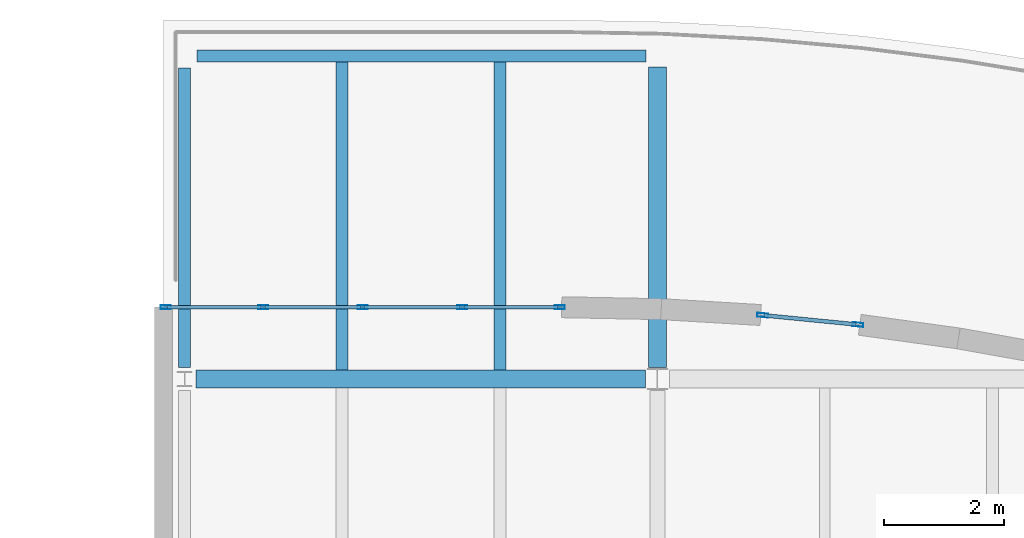
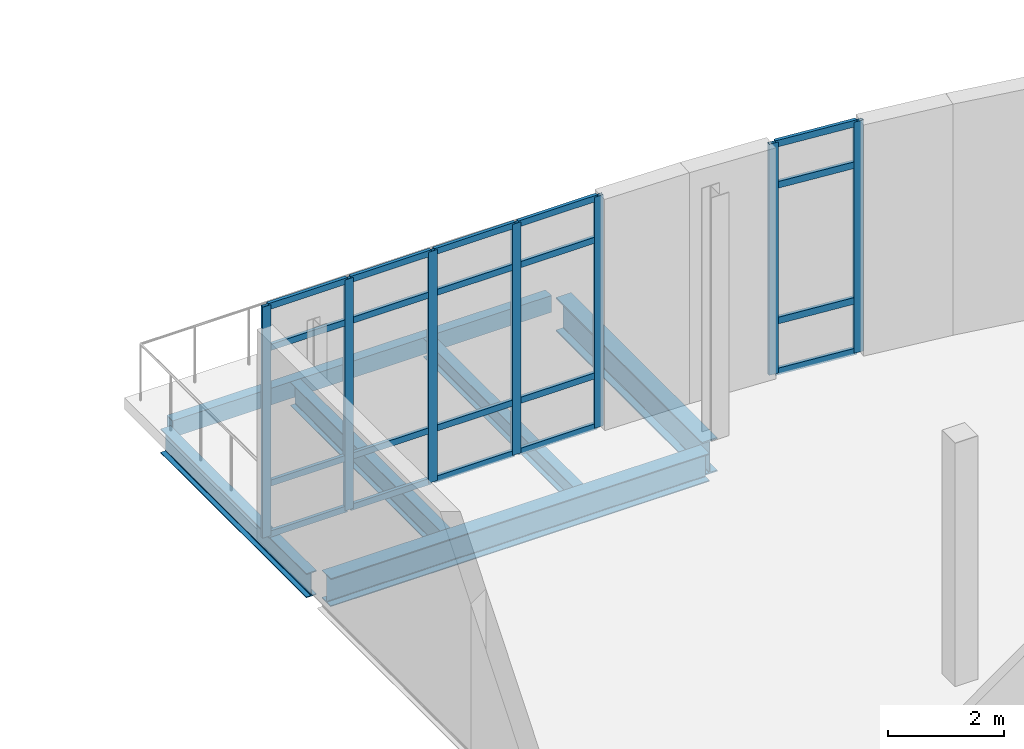
# One storey, part 37 of 91: 27 members, 6 beams, 2 elements without a shape of their own.
"""IFC4 building model written with IfcOpenShell, lengths in metres."""

from ifc_helpers import new_model, si_unit, direction, frame, origin, origin_2d, place, context, subcontext, project, spatial, hollow_rectangle, i_section, extrude, material, layer, layer_set, material_profile, profile_set, type_object, element, aggregate, save


model = new_model("IFC4")

# Units and contexts
model_context = context("Model", 3, precision=1e-05, world=origin(), true_north=direction((0.0, 1.0)))
body_context = subcontext(model_context, "Body", "Model", "MODEL_VIEW")
ifc_project = project(units=[si_unit("LENGTHUNIT", "METRE"), si_unit("AREAUNIT", "SQUARE_METRE"), si_unit("VOLUMEUNIT", "CUBIC_METRE"), si_unit("PLANEANGLEUNIT", "RADIAN"), si_unit("MASSUNIT", "GRAM", prefix="KILO"), si_unit("THERMODYNAMICTEMPERATUREUNIT", "KELVIN")], contexts=[model_context])

# Site, building, storey
site_placement = place(None, origin())
site = spatial("IfcSite", under=ifc_project, at=site_placement, CompositionType="ELEMENT")
building_placement = place(site_placement, origin())
building = spatial("IfcBuilding", under=site, at=building_placement, Name="Lustrewick Department Store", CompositionType="ELEMENT")
storey_placement = place(building_placement, frame((0.0, 0.0, 21.60009765625)))
storey = spatial("IfcBuildingStorey", under=building, at=storey_placement, Name="L05", CompositionType="ELEMENT", Elevation=21.60009765625)

# Beams
ifc_material_1 = material(Name="Structural steel Q355B", Category="steel")
ifc_material_profile_1 = material_profile(ifc_material_1, i_section(OverallWidth=0.199951171875, OverallDepth=0.5, WebThickness=0.010009765625, FlangeThickness=0.01611328125, FilletRadius=0.01611328125, at=origin_2d()), Name="HN 500x200x10x16")
ifc_profile_set_1 = profile_set([ifc_material_profile_1], Name="Structural steel Q355B")
beam_type_1 = type_object("IfcBeamType", Name="B01", PredefinedType="JOIST", material=ifc_profile_set_1)
beam_1_placement = place(storey_placement, frame((112.333251953125, 100.949951171875, -0.505126953125), z_axis=(0.0, 1.0, 0.0), x_axis=(-1.0, 0.0, 0.0)))
element("IfcBeam", 1, at=beam_1_placement, inside=storey, type_object=beam_type_1, Name="L05 V4 Secondary Joist B01", PredefinedType="JOIST", context=body_context, shape_type="SweptSolid", body=[
    extrude(i_section(OverallWidth=0.199951171875, OverallDepth=0.5, WebThickness=0.010009765625, FlangeThickness=0.01611328125, FilletRadius=0.01611328125, at=origin_2d()), origin(), (0.0, 0.0, 1.0), 5.150146484375),
])
ifc_material_profile_2 = material_profile(ifc_material_1, i_section(OverallWidth=0.199951171875, OverallDepth=0.39990234375, WebThickness=0.008056640625, FlangeThickness=0.012939453125, FilletRadius=0.013916015625, at=origin_2d()), Name="HN 400x200x8x13")
ifc_profile_set_2 = profile_set([ifc_material_profile_2], Name="Structural steel Q355B")
beam_type_2 = type_object("IfcBeamType", Name="B05", PredefinedType="JOIST", material=ifc_profile_set_2)
beam_2_placement = place(storey_placement, frame((114.966796875, 100.949951171875, -0.455078125), z_axis=(0.0, 1.0, 0.0), x_axis=(-1.0, 0.0, 0.0)))
element("IfcBeam", 2, at=beam_2_placement, inside=storey, type_object=beam_type_2, Name="L05 V4 Secondary Joist B05", PredefinedType="JOIST", context=body_context, shape_type="SweptSolid", body=[
    extrude(i_section(OverallWidth=0.199951171875, OverallDepth=0.39990234375, WebThickness=0.008056640625, FlangeThickness=0.012939453125, FilletRadius=0.013916015625, at=origin_2d()), origin(), (0.0, 0.0, 1.0), 5.150146484375),
])

# Curtain wall, members
ifc_material_2 = material(Name="Thermally broken aluminium 6063-T5", Category="aluminium")
ifc_layer_1 = layer(ifc_material_2, 0.179931640625, Name="Thermally broken aluminium 6063-T5")
ifc_layer_set_1 = layer_set([ifc_layer_1], Name="Thermally broken aluminium 6063-T5")
curtain_wall_type_1 = type_object("IfcCurtainWallType", Name="CW11", PredefinedType="NOTDEFINED", material=ifc_layer_set_1)
curtain_wall_1_placement = place(storey_placement, origin())
curtain_wall_1 = element("IfcCurtainWall", 3, at=curtain_wall_1_placement, inside=storey, type_object=curtain_wall_type_1, Name="L05 V4 Curtain Wall CW11", PredefinedType="NOTDEFINED")
ifc_material_profile_3 = material_profile(ifc_material_2, hollow_rectangle(XDim=0.06494140625, YDim=0.179931640625, WallThickness=0.00390625, at=origin_2d()), Name="ALU-M 65x180x4")
ifc_profile_set_3 = profile_set([ifc_material_profile_3], Name="Thermally broken aluminium 6063-T5")
member_type_1 = type_object("IfcMemberType", Name="CW11-M1", PredefinedType="MULLION", material=ifc_profile_set_3)
member_1_placement = place(storey_placement, frame((120.951171875, 101.709228515625, 0.0), z_axis=(0.0, 0.0, 1.0), x_axis=(-0.098022847273, -0.995184164571, 0.0)))
member_1 = element("IfcMember", 4, at=member_1_placement, type_object=member_type_1, Name="CW11 mullion 1", PredefinedType="MULLION", context=body_context, shape_type="SweptSolid", body=[
    extrude(hollow_rectangle(XDim=0.06494140625, YDim=0.179931640625, WallThickness=0.00390625, at=origin_2d()), origin(), (0.0, 0.0, 1.0), 4.844970703125),
])
member_2_placement = place(storey_placement, frame((119.359130859375, 101.8662109375, 0.0), z_axis=(0.0, 0.0, 1.0), x_axis=(-0.098022847273, -0.995184164571, 0.0)))
member_2 = element("IfcMember", 5, at=member_2_placement, type_object=member_type_1, Name="CW11 mullion 2", PredefinedType="MULLION", context=body_context, shape_type="SweptSolid", body=[
    extrude(hollow_rectangle(XDim=0.06494140625, YDim=0.179931640625, WallThickness=0.00390625, at=origin_2d()), origin(), (0.0, 0.0, 1.0), 4.844970703125),
])
ifc_material_profile_4 = material_profile(ifc_material_2, hollow_rectangle(XDim=0.06494140625, YDim=0.139892578125, WallThickness=0.00341796875, at=origin_2d()), Name="ALU-T 65x140x3.5")
ifc_profile_set_4 = profile_set([ifc_material_profile_4], Name="Thermally broken aluminium 6063-T5")
member_type_2 = type_object("IfcMemberType", Name="CW11-T1", PredefinedType="USERDEFINED", material=ifc_profile_set_4)
member_3_placement = place(storey_placement, frame((120.9189453125, 101.71240234375, 0.032470703125), z_axis=(-0.995173250144, 0.098133593629, 0.0), x_axis=(-0.098133593629, -0.995173250144, 0.0)))
member_3 = element("IfcMember", 6, at=member_3_placement, type_object=member_type_2, Name="CW11 transom 1.1", ObjectType="TRANSOM", PredefinedType="USERDEFINED", context=body_context, shape_type="SweptSolid", body=[
    extrude(hollow_rectangle(XDim=0.06494140625, YDim=0.139892578125, WallThickness=0.00341796875, at=origin_2d()), origin(), (0.0, 0.0, 1.0), 1.534912109375),
])
member_4_placement = place(storey_placement, frame((120.9189453125, 101.71240234375, 1.099853515625), z_axis=(-0.995173250144, 0.098133593629, 0.0), x_axis=(-0.098133593629, -0.995173250144, 0.0)))
member_4 = element("IfcMember", 7, at=member_4_placement, type_object=member_type_2, Name="CW11 transom 1.2", ObjectType="TRANSOM", PredefinedType="USERDEFINED", context=body_context, shape_type="SweptSolid", body=[
    extrude(hollow_rectangle(XDim=0.06494140625, YDim=0.139892578125, WallThickness=0.00341796875, at=origin_2d()), origin(), (0.0, 0.0, 1.0), 1.534912109375),
])
member_5_placement = place(storey_placement, frame((120.9189453125, 101.71240234375, 3.94482421875), z_axis=(-0.995173250144, 0.098133593629, 0.0), x_axis=(-0.098133593629, -0.995173250144, 0.0)))
member_5 = element("IfcMember", 8, at=member_5_placement, type_object=member_type_2, Name="CW11 transom 1.3", ObjectType="TRANSOM", PredefinedType="USERDEFINED", context=body_context, shape_type="SweptSolid", body=[
    extrude(hollow_rectangle(XDim=0.06494140625, YDim=0.139892578125, WallThickness=0.00341796875, at=origin_2d()), origin(), (0.0, 0.0, 1.0), 1.534912109375),
])
member_6_placement = place(storey_placement, frame((120.9189453125, 101.71240234375, 4.8125), z_axis=(-0.995173250144, 0.098133593629, 0.0), x_axis=(-0.098133593629, -0.995173250144, 0.0)))
member_6 = element("IfcMember", 9, at=member_6_placement, type_object=member_type_2, Name="CW11 transom 1.4", ObjectType="TRANSOM", PredefinedType="USERDEFINED", context=body_context, shape_type="SweptSolid", body=[
    extrude(hollow_rectangle(XDim=0.06494140625, YDim=0.139892578125, WallThickness=0.00341796875, at=origin_2d()), origin(), (0.0, 0.0, 1.0), 1.534912109375),
])
aggregate(curtain_wall_1, [member_1, member_2, member_3, member_4, member_5, member_6])

ifc_layer_2 = layer(ifc_material_2, 0.169921875, Name="Thermally broken aluminium 6063-T5")
ifc_layer_set_2 = layer_set([ifc_layer_2], Name="Thermally broken aluminium 6063-T5")
curtain_wall_type_2 = type_object("IfcCurtainWallType", Name="CW12", PredefinedType="NOTDEFINED", material=ifc_layer_set_2)
curtain_wall_2_placement = place(storey_placement, origin())
curtain_wall_2 = element("IfcCurtainWall", 10, at=curtain_wall_2_placement, inside=storey, type_object=curtain_wall_type_2, Name="L05 V4 Curtain Wall CW12", PredefinedType="NOTDEFINED")
ifc_material_profile_5 = material_profile(ifc_material_2, hollow_rectangle(XDim=0.06494140625, YDim=0.169921875, WallThickness=0.00390625, at=origin_2d()), Name="ALU-M 65x170x4")
ifc_profile_set_5 = profile_set([ifc_material_profile_5], Name="Thermally broken aluminium 6063-T5")
member_type_3 = type_object("IfcMemberType", Name="CW12-M1", PredefinedType="MULLION", material=ifc_profile_set_5)
member_7_placement = place(storey_placement, frame((115.967529296875, 102.0, 0.0), z_axis=(0.0, 0.0, 1.0), x_axis=(0.0, -1.0, 0.0)))
member_7 = element("IfcMember", 11, at=member_7_placement, type_object=member_type_3, Name="CW12 mullion 1", PredefinedType="MULLION", context=body_context, shape_type="SweptSolid", body=[
    extrude(hollow_rectangle(XDim=0.06494140625, YDim=0.169921875, WallThickness=0.00390625, at=origin_2d()), origin(), (0.0, 0.0, 1.0), 4.844970703125),
])
member_8_placement = place(storey_placement, frame((114.33740234375, 102.0, 0.0), z_axis=(0.0, 0.0, 1.0), x_axis=(0.0, -1.0, 0.0)))
member_8 = element("IfcMember", 12, at=member_8_placement, type_object=member_type_3, Name="CW12 mullion 2", PredefinedType="MULLION", context=body_context, shape_type="SweptSolid", body=[
    extrude(hollow_rectangle(XDim=0.06494140625, YDim=0.169921875, WallThickness=0.00390625, at=origin_2d()), origin(), (0.0, 0.0, 1.0), 4.844970703125),
])
member_9_placement = place(storey_placement, frame((112.675048828125, 102.0, 0.0), z_axis=(0.0, 0.0, 1.0), x_axis=(0.0, -1.0, 0.0)))
member_9 = element("IfcMember", 13, at=member_9_placement, type_object=member_type_3, Name="CW12 mullion 3", PredefinedType="MULLION", context=body_context, shape_type="SweptSolid", body=[
    extrude(hollow_rectangle(XDim=0.06494140625, YDim=0.169921875, WallThickness=0.00390625, at=origin_2d()), origin(), (0.0, 0.0, 1.0), 4.844970703125),
])
member_10_placement = place(storey_placement, frame((111.012451171875, 102.0, 0.0), z_axis=(0.0, 0.0, 1.0), x_axis=(0.0, -1.0, 0.0)))
member_10 = element("IfcMember", 14, at=member_10_placement, type_object=member_type_3, Name="CW12 mullion 4", PredefinedType="MULLION", context=body_context, shape_type="SweptSolid", body=[
    extrude(hollow_rectangle(XDim=0.06494140625, YDim=0.169921875, WallThickness=0.00390625, at=origin_2d()), origin(), (0.0, 0.0, 1.0), 4.844970703125),
])
member_11_placement = place(storey_placement, frame((109.382568359375, 102.0, 0.0), z_axis=(0.0, 0.0, 1.0), x_axis=(0.0, -1.0, 0.0)))
member_11 = element("IfcMember", 15, at=member_11_placement, type_object=member_type_3, Name="CW12 mullion 5", PredefinedType="MULLION", context=body_context, shape_type="SweptSolid", body=[
    extrude(hollow_rectangle(XDim=0.06494140625, YDim=0.169921875, WallThickness=0.00390625, at=origin_2d()), origin(), (0.0, 0.0, 1.0), 4.844970703125),
])
ifc_material_profile_6 = material_profile(ifc_material_2, hollow_rectangle(XDim=0.06494140625, YDim=0.1298828125, WallThickness=0.00341796875, at=origin_2d()), Name="ALU-T 65x130x3.5")
ifc_profile_set_6 = profile_set([ifc_material_profile_6], Name="Thermally broken aluminium 6063-T5")
member_type_4 = type_object("IfcMemberType", Name="CW12-T1", PredefinedType="USERDEFINED", material=ifc_profile_set_6)
member_12_placement = place(storey_placement, frame((115.93505859375, 102.0, 0.032470703125), z_axis=(-1.0, 0.0, 0.0), x_axis=(0.0, -1.0, 0.0)))
member_12 = element("IfcMember", 16, at=member_12_placement, type_object=member_type_4, Name="CW12 transom 1.1", ObjectType="TRANSOM", PredefinedType="USERDEFINED", context=body_context, shape_type="SweptSolid", body=[
    extrude(hollow_rectangle(XDim=0.06494140625, YDim=0.1298828125, WallThickness=0.00341796875, at=origin_2d()), origin(), (0.0, 0.0, 1.0), 1.56494140625),
])
member_13_placement = place(storey_placement, frame((115.93505859375, 102.0, 1.099853515625), z_axis=(-1.0, 0.0, 0.0), x_axis=(0.0, -1.0, 0.0)))
member_13 = element("IfcMember", 17, at=member_13_placement, type_object=member_type_4, Name="CW12 transom 1.2", ObjectType="TRANSOM", PredefinedType="USERDEFINED", context=body_context, shape_type="SweptSolid", body=[
    extrude(hollow_rectangle(XDim=0.06494140625, YDim=0.1298828125, WallThickness=0.00341796875, at=origin_2d()), origin(), (0.0, 0.0, 1.0), 1.56494140625),
])
member_14_placement = place(storey_placement, frame((115.93505859375, 102.0, 3.94482421875), z_axis=(-1.0, 0.0, 0.0), x_axis=(0.0, -1.0, 0.0)))
member_14 = element("IfcMember", 18, at=member_14_placement, type_object=member_type_4, Name="CW12 transom 1.3", ObjectType="TRANSOM", PredefinedType="USERDEFINED", context=body_context, shape_type="SweptSolid", body=[
    extrude(hollow_rectangle(XDim=0.06494140625, YDim=0.1298828125, WallThickness=0.00341796875, at=origin_2d()), origin(), (0.0, 0.0, 1.0), 1.56494140625),
])
member_15_placement = place(storey_placement, frame((115.93505859375, 102.0, 4.8125), z_axis=(-1.0, 0.0, 0.0), x_axis=(0.0, -1.0, 0.0)))
member_15 = element("IfcMember", 19, at=member_15_placement, type_object=member_type_4, Name="CW12 transom 1.4", ObjectType="TRANSOM", PredefinedType="USERDEFINED", context=body_context, shape_type="SweptSolid", body=[
    extrude(hollow_rectangle(XDim=0.06494140625, YDim=0.1298828125, WallThickness=0.00341796875, at=origin_2d()), origin(), (0.0, 0.0, 1.0), 1.56494140625),
])
member_16_placement = place(storey_placement, frame((114.304931640625, 102.0, 0.032470703125), z_axis=(-1.0, 0.0, 0.0), x_axis=(0.0, -1.0, 0.0)))
member_16 = element("IfcMember", 20, at=member_16_placement, type_object=member_type_4, Name="CW12 transom 2.1", ObjectType="TRANSOM", PredefinedType="USERDEFINED", context=body_context, shape_type="SweptSolid", body=[
    extrude(hollow_rectangle(XDim=0.06494140625, YDim=0.1298828125, WallThickness=0.00341796875, at=origin_2d()), origin(), (0.0, 0.0, 1.0), 1.597412109375),
])
member_17_placement = place(storey_placement, frame((114.304931640625, 102.0, 1.099853515625), z_axis=(-1.0, 0.0, 0.0), x_axis=(0.0, -1.0, 0.0)))
member_17 = element("IfcMember", 21, at=member_17_placement, type_object=member_type_4, Name="CW12 transom 2.2", ObjectType="TRANSOM", PredefinedType="USERDEFINED", context=body_context, shape_type="SweptSolid", body=[
    extrude(hollow_rectangle(XDim=0.06494140625, YDim=0.1298828125, WallThickness=0.00341796875, at=origin_2d()), origin(), (0.0, 0.0, 1.0), 1.597412109375),
])
member_18_placement = place(storey_placement, frame((114.304931640625, 102.0, 3.94482421875), z_axis=(-1.0, 0.0, 0.0), x_axis=(0.0, -1.0, 0.0)))
member_18 = element("IfcMember", 22, at=member_18_placement, type_object=member_type_4, Name="CW12 transom 2.3", ObjectType="TRANSOM", PredefinedType="USERDEFINED", context=body_context, shape_type="SweptSolid", body=[
    extrude(hollow_rectangle(XDim=0.06494140625, YDim=0.1298828125, WallThickness=0.00341796875, at=origin_2d()), origin(), (0.0, 0.0, 1.0), 1.597412109375),
])
member_19_placement = place(storey_placement, frame((114.304931640625, 102.0, 4.8125), z_axis=(-1.0, 0.0, 0.0), x_axis=(0.0, -1.0, 0.0)))
member_19 = element("IfcMember", 23, at=member_19_placement, type_object=member_type_4, Name="CW12 transom 2.4", ObjectType="TRANSOM", PredefinedType="USERDEFINED", context=body_context, shape_type="SweptSolid", body=[
    extrude(hollow_rectangle(XDim=0.06494140625, YDim=0.1298828125, WallThickness=0.00341796875, at=origin_2d()), origin(), (0.0, 0.0, 1.0), 1.597412109375),
])
member_20_placement = place(storey_placement, frame((112.642578125, 102.0, 0.032470703125), z_axis=(-1.0, 0.0, 0.0), x_axis=(0.0, -1.0, 0.0)))
member_20 = element("IfcMember", 24, at=member_20_placement, type_object=member_type_4, Name="CW12 transom 3.1", ObjectType="TRANSOM", PredefinedType="USERDEFINED", context=body_context, shape_type="SweptSolid", body=[
    extrude(hollow_rectangle(XDim=0.06494140625, YDim=0.1298828125, WallThickness=0.00341796875, at=origin_2d()), origin(), (0.0, 0.0, 1.0), 1.59765625),
])
member_21_placement = place(storey_placement, frame((112.642578125, 102.0, 1.099853515625), z_axis=(-1.0, 0.0, 0.0), x_axis=(0.0, -1.0, 0.0)))
member_21 = element("IfcMember", 25, at=member_21_placement, type_object=member_type_4, Name="CW12 transom 3.2", ObjectType="TRANSOM", PredefinedType="USERDEFINED", context=body_context, shape_type="SweptSolid", body=[
    extrude(hollow_rectangle(XDim=0.06494140625, YDim=0.1298828125, WallThickness=0.00341796875, at=origin_2d()), origin(), (0.0, 0.0, 1.0), 1.59765625),
])
member_22_placement = place(storey_placement, frame((112.642578125, 102.0, 3.94482421875), z_axis=(-1.0, 0.0, 0.0), x_axis=(0.0, -1.0, 0.0)))
member_22 = element("IfcMember", 26, at=member_22_placement, type_object=member_type_4, Name="CW12 transom 3.3", ObjectType="TRANSOM", PredefinedType="USERDEFINED", context=body_context, shape_type="SweptSolid", body=[
    extrude(hollow_rectangle(XDim=0.06494140625, YDim=0.1298828125, WallThickness=0.00341796875, at=origin_2d()), origin(), (0.0, 0.0, 1.0), 1.59765625),
])
member_23_placement = place(storey_placement, frame((112.642578125, 102.0, 4.8125), z_axis=(-1.0, 0.0, 0.0), x_axis=(0.0, -1.0, 0.0)))
member_23 = element("IfcMember", 27, at=member_23_placement, type_object=member_type_4, Name="CW12 transom 3.4", ObjectType="TRANSOM", PredefinedType="USERDEFINED", context=body_context, shape_type="SweptSolid", body=[
    extrude(hollow_rectangle(XDim=0.06494140625, YDim=0.1298828125, WallThickness=0.00341796875, at=origin_2d()), origin(), (0.0, 0.0, 1.0), 1.59765625),
])
member_24_placement = place(storey_placement, frame((110.97998046875, 102.0, 0.032470703125), z_axis=(-1.0, 0.0, 0.0), x_axis=(0.0, -1.0, 0.0)))
member_24 = element("IfcMember", 28, at=member_24_placement, type_object=member_type_4, Name="CW12 transom 4.1", ObjectType="TRANSOM", PredefinedType="USERDEFINED", context=body_context, shape_type="SweptSolid", body=[
    extrude(hollow_rectangle(XDim=0.06494140625, YDim=0.1298828125, WallThickness=0.00341796875, at=origin_2d()), origin(), (0.0, 0.0, 1.0), 1.56494140625),
])
member_25_placement = place(storey_placement, frame((110.97998046875, 102.0, 1.099853515625), z_axis=(-1.0, 0.0, 0.0), x_axis=(0.0, -1.0, 0.0)))
member_25 = element("IfcMember", 29, at=member_25_placement, type_object=member_type_4, Name="CW12 transom 4.2", ObjectType="TRANSOM", PredefinedType="USERDEFINED", context=body_context, shape_type="SweptSolid", body=[
    extrude(hollow_rectangle(XDim=0.06494140625, YDim=0.1298828125, WallThickness=0.00341796875, at=origin_2d()), origin(), (0.0, 0.0, 1.0), 1.56494140625),
])
member_26_placement = place(storey_placement, frame((110.97998046875, 102.0, 3.94482421875), z_axis=(-1.0, 0.0, 0.0), x_axis=(0.0, -1.0, 0.0)))
member_26 = element("IfcMember", 30, at=member_26_placement, type_object=member_type_4, Name="CW12 transom 4.3", ObjectType="TRANSOM", PredefinedType="USERDEFINED", context=body_context, shape_type="SweptSolid", body=[
    extrude(hollow_rectangle(XDim=0.06494140625, YDim=0.1298828125, WallThickness=0.00341796875, at=origin_2d()), origin(), (0.0, 0.0, 1.0), 1.56494140625),
])
member_27_placement = place(storey_placement, frame((110.97998046875, 102.0, 4.8125), z_axis=(-1.0, 0.0, 0.0), x_axis=(0.0, -1.0, 0.0)))
member_27 = element("IfcMember", 31, at=member_27_placement, type_object=member_type_4, Name="CW12 transom 4.4", ObjectType="TRANSOM", PredefinedType="USERDEFINED", context=body_context, shape_type="SweptSolid", body=[
    extrude(hollow_rectangle(XDim=0.06494140625, YDim=0.1298828125, WallThickness=0.00341796875, at=origin_2d()), origin(), (0.0, 0.0, 1.0), 1.56494140625),
])
aggregate(curtain_wall_2, [member_7, member_8, member_9, member_10, member_11, member_12, member_13, member_14, member_15, member_16, member_17, member_18, member_19, member_20, member_21, member_22, member_23, member_24, member_25, member_26, member_27])

# Beams
ifc_material_3 = material(Name="Structural steel Q355C", Category="steel")
ifc_material_profile_7 = material_profile(ifc_material_3, i_section(OverallWidth=0.302001953125, OverallDepth=0.7080078125, WebThickness=0.014892578125, FlangeThickness=0.028076171875, FilletRadius=0.02001953125, at=origin_2d()), Name="HN 708x302x15x28")
ifc_profile_set_7 = profile_set([ifc_material_profile_7], Name="Structural steel Q355C")
beam_type_3 = type_object("IfcBeamType", Name="G07", PredefinedType="BEAM", material=ifc_profile_set_7)
beam_3_placement = place(storey_placement, frame((117.60009765625, 100.993896484375, -0.609130859375), z_axis=(0.0, 1.0, 0.0), x_axis=(-1.0, 0.0, 0.0)))
element("IfcBeam", 32, at=beam_3_placement, inside=storey, type_object=beam_type_3, Name="L05 V4 Girder G07", PredefinedType="BEAM", context=body_context, shape_type="SweptSolid", body=[
    extrude(i_section(OverallWidth=0.302001953125, OverallDepth=0.7080078125, WebThickness=0.014892578125, FlangeThickness=0.028076171875, FilletRadius=0.02001953125, at=origin_2d()), origin(), (0.0, 0.0, 1.0), 5.017578125),
])
ifc_material_profile_8 = material_profile(ifc_material_1, i_section(OverallWidth=0.300048828125, OverallDepth=0.587890625, WebThickness=0.011962890625, FlangeThickness=0.02001953125, FilletRadius=0.02392578125, at=origin_2d()), Name="HM 588x300x12x20")
ifc_profile_set_8 = profile_set([ifc_material_profile_8], Name="Structural steel Q355B")
beam_type_4 = type_object("IfcBeamType", Name="G11", PredefinedType="BEAM", material=ifc_profile_set_8)
beam_4_placement = place(storey_placement, frame((109.888427734375, 100.800048828125, -0.549072265625), z_axis=(1.0, 0.0, 0.0), x_axis=(0.0, 1.0, 0.0)))
element("IfcBeam", 33, at=beam_4_placement, inside=storey, type_object=beam_type_4, Name="L05 V4 Girder G11", PredefinedType="BEAM", context=body_context, shape_type="SweptSolid", body=[
    extrude(i_section(OverallWidth=0.300048828125, OverallDepth=0.587890625, WebThickness=0.011962890625, FlangeThickness=0.02001953125, FilletRadius=0.02392578125, at=origin_2d()), origin(), (0.0, 0.0, 1.0), 7.510498046875),
])
ifc_material_profile_9 = material_profile(ifc_material_1, i_section(OverallWidth=0.200927734375, OverallDepth=0.506103515625, WebThickness=0.010986328125, FlangeThickness=0.01904296875, FilletRadius=0.01611328125, at=origin_2d()), Name="HN 506x201x11x19")
ifc_profile_set_9 = profile_set([ifc_material_profile_9], Name="Structural steel Q355B")
beam_type_5 = type_object("IfcBeamType", Name="SP01", PredefinedType="SPANDREL", material=ifc_profile_set_9)
beam_5_placement = place(storey_placement, frame((109.699951171875, 100.988525390625, -0.508056640625), z_axis=(0.0, 1.0, 0.0), x_axis=(-1.0, 0.0, 0.0)))
element("IfcBeam", 34, at=beam_5_placement, inside=storey, type_object=beam_type_5, Name="L05 V4 Girder SP01", PredefinedType="SPANDREL", context=body_context, shape_type="SweptSolid", body=[
    extrude(i_section(OverallWidth=0.200927734375, OverallDepth=0.506103515625, WebThickness=0.010986328125, FlangeThickness=0.01904296875, FilletRadius=0.01611328125, at=origin_2d()), origin(), (0.0, 0.0, 1.0), 5.008544921875),
])
ifc_material_profile_10 = material_profile(ifc_material_3, hollow_rectangle(XDim=0.199951171875, YDim=0.35009765625, WallThickness=0.011962890625, at=origin_2d()), Name="RHS 350x200x12")
ifc_profile_set_10 = profile_set([ifc_material_profile_10], Name="Structural steel Q355C")
beam_type_6 = type_object("IfcBeamType", Name="SP03", PredefinedType="SPANDREL", material=ifc_profile_set_10)
beam_6_placement = place(storey_placement, frame((109.903076171875, 106.199951171875, -0.43017578125), z_axis=(1.0, 0.0, 0.0), x_axis=(0.0, 1.0, 0.0)))
element("IfcBeam", 35, at=beam_6_placement, inside=storey, type_object=beam_type_6, Name="L05 V4 Girder SP03", PredefinedType="SPANDREL", context=body_context, shape_type="SweptSolid", body=[
    extrude(hollow_rectangle(XDim=0.199951171875, YDim=0.35009765625, WallThickness=0.011962890625, at=origin_2d()), origin(), (0.0, 0.0, 1.0), 7.508544921875),
])

save(model, "model.ifc")
